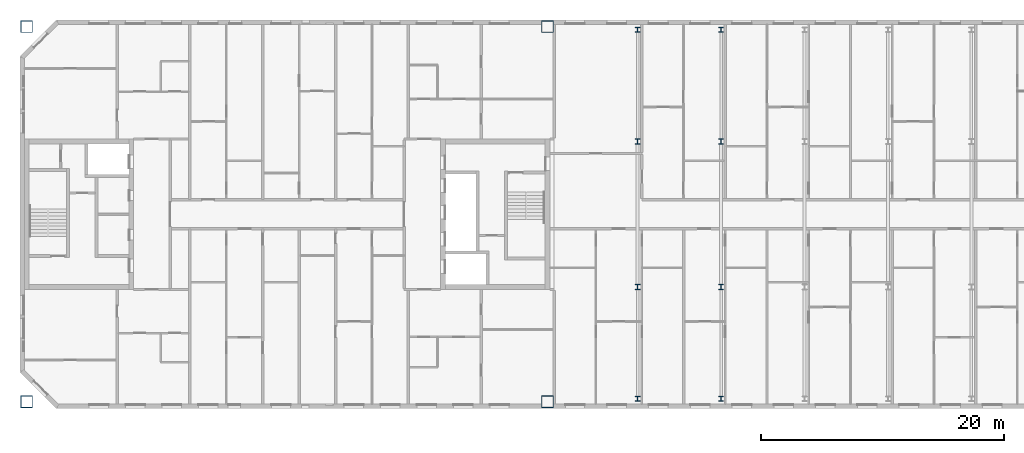
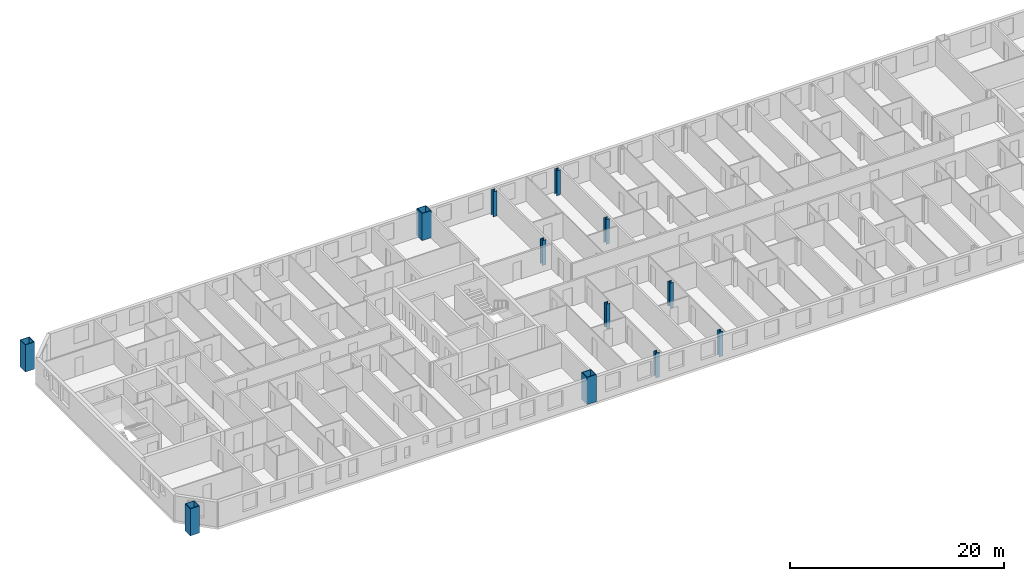
# One storey, part 1 of 19: 12 columns.
"""IFC4 building model written with IfcOpenShell, lengths in metres."""

from ifc_helpers import new_model, si_unit, direction, frame, origin, origin_2d, place, context, subcontext, project, spatial, hollow_rectangle, i_section, extrude, material, material_profile, profile_set, type_object, element, save


model = new_model("IFC4")

# Units and contexts
model_context = context("Model", 3, precision=1e-05, world=origin(), true_north=direction((0.0, 1.0)))
body_context = subcontext(model_context, "Body", "Model", "MODEL_VIEW")
ifc_project = project(units=[si_unit("LENGTHUNIT", "METRE"), si_unit("AREAUNIT", "SQUARE_METRE"), si_unit("VOLUMEUNIT", "CUBIC_METRE"), si_unit("PLANEANGLEUNIT", "RADIAN"), si_unit("MASSUNIT", "GRAM", prefix="KILO")], contexts=[model_context])

# Site, building, storey
site_placement = place(None, origin())
site = spatial("IfcSite", under=ifc_project, at=site_placement, CompositionType="ELEMENT")
building_placement = place(site_placement, origin())
building = spatial("IfcBuilding", under=site, at=building_placement, Name="Tuart Gate Housing", CompositionType="ELEMENT")
storey_placement = place(building_placement, frame((0.0, 0.0, 230.699951171875)))
storey = spatial("IfcBuildingStorey", under=building, at=storey_placement, Name="L65", CompositionType="ELEMENT", Elevation=230.699951171875)

# Columns
ifc_material_1 = material(Name="Steel Grade 350", Category="steel")
ifc_material_profile_1 = material_profile(ifc_material_1, i_section(OverallWidth=0.39990234375, OverallDepth=0.429931640625, WebThickness=0.028076171875, FlangeThickness=0.0400390625, at=origin_2d()), Name="400WC328")
ifc_profile_set_1 = profile_set([ifc_material_profile_1], Name="Steel Grade 350")
column_type_1 = type_object("IfcColumnType", Name="Link column 400 WC328", PredefinedType="COLUMN", material=ifc_profile_set_1)
for number, where, z_axis, x_axis, name in (
    (1, (82.875, 54.800048828125, 0.0), (0.0, 0.0, 1.0), (1.0, 0.0, 0.0), "Link column line 1 point 1 L65"),
    (2, (89.75, 54.800048828125, 0.0), (0.0, 0.0, 1.0), (1.0, 0.0, 0.0), "Link column line 1 point 2 L65"),
    (3, (82.875, 64.0, 0.0), (0.0, 0.0, 1.0), (1.0, 0.0, 0.0), "Link column line 2 point 1 L65"),
    (4, (89.75, 64.0, 0.0), (0.0, 0.0, 1.0), (1.0, 0.0, 0.0), "Link column line 2 point 2 L65"),
    (5, (82.875, 76.0, 0.0), (0.0, 0.0, 1.0), (1.0, 0.0, 0.0), "Link column line 3 point 1 L65"),
    (6, (89.75, 76.0, 0.0), (0.0, 0.0, 1.0), (1.0, 0.0, 0.0), "Link column line 3 point 2 L65"),
    (7, (82.875, 85.199951171875, 0.0), (0.0, 0.0, 1.0), (1.0, 0.0, 0.0), "Link column line 4 point 1 L65"),
    (8, (89.75, 85.199951171875, 0.0), (0.0, 0.0, 1.0), (1.0, 0.0, 0.0), "Link column line 4 point 2 L65"),
):
    element("IfcColumn", number, at=place(storey_placement, frame(where, z_axis=z_axis, x_axis=x_axis)), inside=storey, type_object=column_type_1, Name=name, PredefinedType="COLUMN", context=body_context, shape_type="SweptSolid", body=[
        extrude(i_section(OverallWidth=0.39990234375, OverallDepth=0.429931640625, WebThickness=0.028076171875, FlangeThickness=0.0400390625, at=origin_2d()), origin(), (0.0, 0.0, 1.0), 2.85009765625),
    ])
ifc_material_2 = material(Name="Steel Grade 350", Category="steel")
ifc_material_profile_2 = material_profile(ifc_material_2, hollow_rectangle(XDim=1.0, YDim=1.0, WallThickness=0.054931640625, at=origin_2d()), Name="BOX 1000x1000x55")
ifc_profile_set_2 = profile_set([ifc_material_profile_2], Name="Steel Grade 350")
column_type_2 = type_object("IfcColumnType", Name="Mega column BOX 1000x1000x55", PredefinedType="COLUMN", material=ifc_profile_set_2)
for number, where, z_axis, x_axis, name in (
    (9, (32.550048828125, 54.550048828125, 0.0), (0.0, 0.0, 1.0), (1.0, 0.0, 0.0), "Mega column A south-west L65"),
    (10, (75.449951171875, 54.550048828125, 0.0), (0.0, 0.0, 1.0), (1.0, 0.0, 0.0), "Mega column A south-east L65"),
    (11, (75.449951171875, 85.449951171875, 0.0), (0.0, 0.0, 1.0), (1.0, 0.0, 0.0), "Mega column A north-east L65"),
    (12, (32.550048828125, 85.449951171875, 0.0), (0.0, 0.0, 1.0), (1.0, 0.0, 0.0), "Mega column A north-west L65"),
):
    element("IfcColumn", number, at=place(storey_placement, frame(where, z_axis=z_axis, x_axis=x_axis)), inside=storey, type_object=column_type_2, Name=name, PredefinedType="COLUMN", context=body_context, shape_type="SweptSolid", body=[
        extrude(hollow_rectangle(XDim=1.0, YDim=1.0, WallThickness=0.054931640625, at=origin_2d()), origin(), (0.0, 0.0, 1.0), 3.10009765625),
    ])

save(model, "model.ifc")
